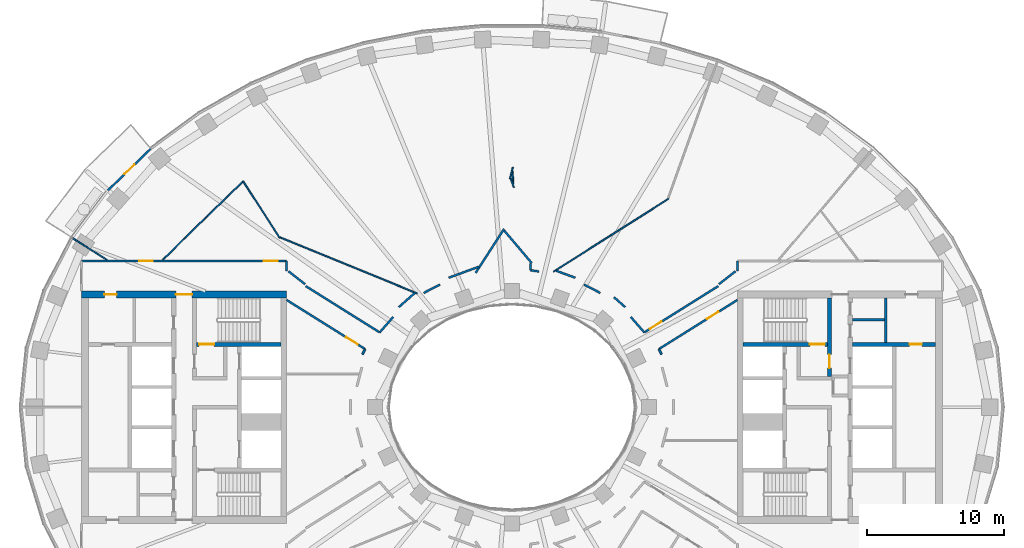
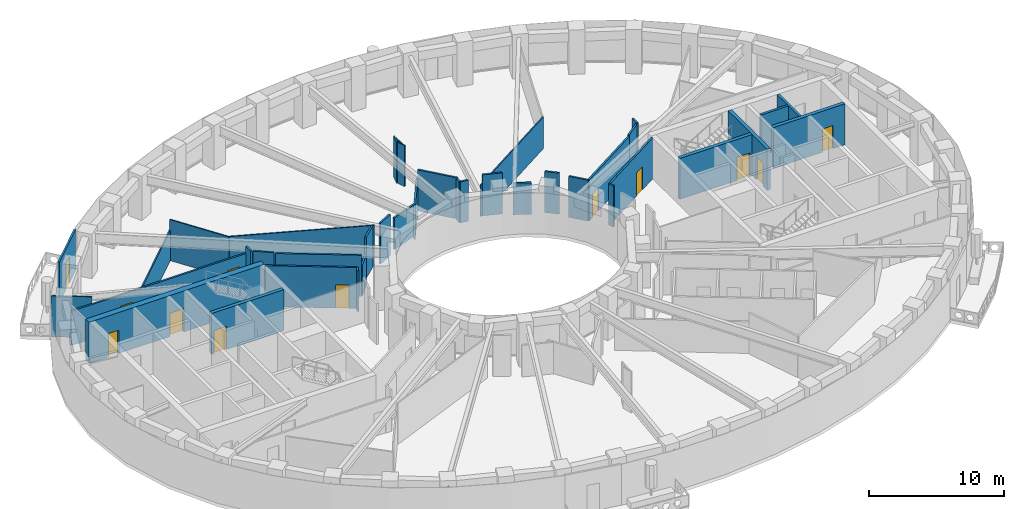
# One storey, part 6 of 16: 39 walls, 12 doors, 12 openings.
"""IFC4 building model written with IfcOpenShell, lengths in metres."""

from ifc_helpers import new_model, si_unit, direction, frame, frame_2d, origin, place, context, subcontext, project, spatial, rectangle, extrude, material, layer, layer_set, type_object, element, fill, save


model = new_model("IFC4")

# Units and contexts
model_context = context("Model", 3, precision=1e-05, world=origin(), true_north=direction((0.0, 1.0)))
body_context = subcontext(model_context, "Body", "Model", "MODEL_VIEW")
ifc_project = project(units=[si_unit("LENGTHUNIT", "METRE"), si_unit("AREAUNIT", "SQUARE_METRE"), si_unit("VOLUMEUNIT", "CUBIC_METRE"), si_unit("PLANEANGLEUNIT", "RADIAN"), si_unit("MASSUNIT", "GRAM", prefix="KILO")], contexts=[model_context])

# Site, building, storey
site_placement = place(None, origin())
site = spatial("IfcSite", under=ifc_project, at=site_placement, CompositionType="ELEMENT")
building_placement = place(site_placement, origin())
building = spatial("IfcBuilding", under=site, at=building_placement, Name="Noorbagh Ring Tower", CompositionType="ELEMENT")
storey_placement = place(building_placement, frame((0.0, 0.0, 166.0)))
storey = spatial("IfcBuildingStorey", under=building, at=storey_placement, Name="L38", CompositionType="ELEMENT", Elevation=166.0)

# Walls
ifc_material_1 = material(Name="Gypsum board on steel studs", Category="steel")
ifc_layer_1 = layer(ifc_material_1, 0.199951171875)
ifc_layer_set_1 = layer_set([ifc_layer_1], Name="Gypsum board on steel studs")
wall_type_1 = type_object("IfcWallType", Name="CORE-PARTITION-200", PredefinedType="PARTITIONING", material=ifc_layer_set_1)
wall_1_placement = place(storey_placement, frame((27.35009765625, 4.75, 0.0), z_axis=(0.0, 0.0, 1.0), x_axis=(0.0, 1.0, 0.0)))
element("IfcWall", 1, at=wall_1_placement, inside=storey, type_object=wall_type_1, Name="Core partition E", PredefinedType="PARTITIONING", context=body_context, shape_type="SweptSolid", body=[
    extrude(rectangle(XDim=3.25, YDim=0.199951171875, at=frame_2d((1.625, 0.0))), origin(), (0.0, 0.0, 1.0), 3.699951171875),
])
wall_2_placement = place(storey_placement, frame((24.89990234375, 6.39990234375, 0.0), z_axis=(0.0, 0.0, 1.0), x_axis=(1.0, 0.0, 0.0)))
element("IfcWall", 2, at=wall_2_placement, inside=storey, type_object=wall_type_1, Name="Core partition E", PredefinedType="PARTITIONING", context=body_context, shape_type="SweptSolid", body=[
    extrude(rectangle(XDim=2.35009765625, YDim=0.199951171875, at=frame_2d((1.175048828125, 0.0))), origin(), (0.0, 0.0, 1.0), 3.699951171875),
])

# Wall, opening, door
ifc_material_2 = material(Name="Concrete C60/75", Category="concrete")
ifc_layer_2 = layer(ifc_material_2, 0.300048828125)
ifc_layer_set_2 = layer_set([ifc_layer_2], Name="Concrete C60/75")
wall_type_2 = type_object("IfcWallType", Name="CORE-WALL-300-C60-75-EI240", PredefinedType="SHEAR", material=ifc_layer_set_2)
wall_3_placement = place(storey_placement, frame((-16.89990234375, 4.60009765625, 0.0), z_axis=(0.0, 0.0, 1.0), x_axis=(-1.0, 0.0, 0.0)))
wall_3 = element("IfcWall", 3, at=wall_3_placement, inside=storey, type_object=wall_type_2, Name="Core wall W", PredefinedType="SHEAR", context=body_context, shape_type="SweptSolid", body=[
    extrude(rectangle(XDim=6.18017578125, YDim=0.300048828125, at=frame_2d((3.090087890625, 0.0))), origin(), (0.0, 0.0, 1.0), 3.699951171875),
])
opening_1_placement = place(wall_3_placement, frame((4.89990234375, 0.0, 0.0)))
opening_1 = element("IfcOpeningElement", 4, at=opening_1_placement, cuts=wall_3, Name="Opening L38-CW06", PredefinedType="OPENING", context=body_context, shape_type="SweptSolid", body=[
    extrude(rectangle(XDim=1.10009765625, YDim=2.10009765625, at=frame_2d((0.550048828125, 1.050048828125))), frame((0.0, 0.16015625, 0.0), z_axis=(0.0, -1.0, 0.0), x_axis=(1.0, 0.0, 0.0)), (0.0, 0.0, 1.0), 0.320068359375),
])
ifc_material_3 = material(Name="Steel door leaf", Category="steel")
door_type_1 = type_object("IfcDoorType", Name="CORE-DOOR-DSTAIR", OperationType="SINGLE_SWING_LEFT", PredefinedType="DOOR", material=ifc_material_3)
door_1_placement = place(opening_1_placement, origin())
door_1 = element("IfcDoor", 5, at=door_1_placement, inside=storey, type_object=door_type_1, Name="Stair door ST1 L38-CW06", OperationType="SINGLE_SWING_RIGHT", OverallHeight=2.10009765625, OverallWidth=1.10009765625, PredefinedType="DOOR", context=body_context, shape_type="SweptSolid", body=[
    extrude(rectangle(XDim=1.10009765625, YDim=2.10009765625, at=frame_2d((0.550048828125, 1.050048828125))), frame((0.0, 0.02490234375, 0.0), z_axis=(0.0, -1.0, 0.0), x_axis=(1.0, 0.0, 0.0)), (0.0, 0.0, 1.0), 0.050048828125),
])
fill(opening_1, door_1)

wall_4_placement = place(storey_placement, frame((24.89990234375, 4.60009765625, 0.0), z_axis=(0.0, 0.0, 1.0), x_axis=(1.0, 0.0, 0.0)))
wall_4 = element("IfcWall", 6, at=wall_4_placement, inside=storey, type_object=wall_type_2, Name="Core wall E", PredefinedType="SHEAR", context=body_context, shape_type="SweptSolid", body=[
    extrude(rectangle(XDim=6.10009765625, YDim=0.300048828125, at=frame_2d((3.050048828125, 0.0))), origin(), (0.0, 0.0, 1.0), 3.699951171875),
])
opening_2_placement = place(wall_4_placement, frame((4.199951171875, 0.0, 0.0)))
opening_2 = element("IfcOpeningElement", 7, at=opening_2_placement, cuts=wall_4, Name="Opening L38-CE19", PredefinedType="OPENING", context=body_context, shape_type="SweptSolid", body=[
    extrude(rectangle(XDim=0.89990234375, YDim=2.10009765625, at=frame_2d((0.449951171875, 1.050048828125))), frame((0.0, 0.16015625, 0.0), z_axis=(0.0, -1.0, 0.0), x_axis=(1.0, 0.0, 0.0)), (0.0, 0.0, 1.0), 0.320068359375),
])
ifc_material_4 = material(Name="Steel door leaf", Category="steel")
door_type_2 = type_object("IfcDoorType", Name="CORE-DOOR-DROOM", OperationType="SINGLE_SWING_LEFT", PredefinedType="DOOR", material=ifc_material_4)
door_2_placement = place(opening_2_placement, origin())
door_2 = element("IfcDoor", 8, at=door_2_placement, inside=storey, type_object=door_type_2, Name="Core room door L38-CE19", OperationType="SINGLE_SWING_RIGHT", OverallHeight=2.10009765625, OverallWidth=0.89990234375, PredefinedType="DOOR", context=body_context, shape_type="SweptSolid", body=[
    extrude(rectangle(XDim=0.89990234375, YDim=2.10009765625, at=frame_2d((0.449951171875, 1.050048828125))), frame((0.0, 0.02490234375, 0.0), z_axis=(0.0, -1.0, 0.0), x_axis=(1.0, 0.0, 0.0)), (0.0, 0.0, 1.0), 0.050048828125),
])
fill(opening_2, door_2)

wall_5_placement = place(storey_placement, frame((23.22998046875, 2.25, 0.0), z_axis=(0.0, 0.0, 1.0), x_axis=(0.0, 1.0, 0.0)))
wall_5 = element("IfcWall", 9, at=wall_5_placement, inside=storey, type_object=wall_type_2, Name="Core wall E", PredefinedType="SHEAR", context=body_context, shape_type="SweptSolid", body=[
    extrude(rectangle(XDim=5.75, YDim=0.300048828125, at=frame_2d((2.875, 0.0))), origin(), (0.0, 0.0, 1.0), 3.699951171875),
])
opening_3_placement = place(wall_5_placement, frame((0.60009765625, 0.0, 0.0)))
opening_3 = element("IfcOpeningElement", 10, at=opening_3_placement, cuts=wall_5, Name="Opening L38-CE10", PredefinedType="OPENING", context=body_context, shape_type="SweptSolid", body=[
    extrude(rectangle(XDim=1.0, YDim=2.10009765625, at=frame_2d((0.5, 1.050048828125))), frame((0.0, 0.16015625, 0.0), z_axis=(0.0, -1.0, 0.0), x_axis=(1.0, 0.0, 0.0)), (0.0, 0.0, 1.0), 0.320068359375),
])
ifc_material_5 = material(Name="Steel door leaf", Category="steel")
door_type_3 = type_object("IfcDoorType", Name="CORE-DOOR-DVEST", OperationType="SINGLE_SWING_LEFT", PredefinedType="DOOR", material=ifc_material_5)
door_3_placement = place(opening_3_placement, origin())
door_3 = element("IfcDoor", 11, at=door_3_placement, inside=storey, type_object=door_type_3, Name="Stair vestibule door L38-CE10", OperationType="SINGLE_SWING_RIGHT", OverallHeight=2.10009765625, OverallWidth=1.0, PredefinedType="DOOR", context=body_context, shape_type="SweptSolid", body=[
    extrude(rectangle(XDim=1.0, YDim=2.10009765625, at=frame_2d((0.5, 1.050048828125))), frame((0.0, 0.02490234375, 0.0), z_axis=(0.0, -1.0, 0.0), x_axis=(1.0, 0.0, 0.0)), (0.0, 0.0, 1.0), 0.050048828125),
])
fill(opening_3, door_3)

wall_6_placement = place(storey_placement, frame((16.89990234375, 4.60009765625, 0.0), z_axis=(0.0, 0.0, 1.0), x_axis=(1.0, 0.0, 0.0)))
wall_6 = element("IfcWall", 12, at=wall_6_placement, inside=storey, type_object=wall_type_2, Name="Core wall E", PredefinedType="SHEAR", context=body_context, shape_type="SweptSolid", body=[
    extrude(rectangle(XDim=6.18017578125, YDim=0.300048828125, at=frame_2d((3.090087890625, 0.0))), origin(), (0.0, 0.0, 1.0), 3.699951171875),
])
opening_4_placement = place(wall_6_placement, frame((4.89990234375, 0.0, 0.0)))
opening_4 = element("IfcOpeningElement", 13, at=opening_4_placement, cuts=wall_6, Name="Opening L38-CE07", PredefinedType="OPENING", context=body_context, shape_type="SweptSolid", body=[
    extrude(rectangle(XDim=1.10009765625, YDim=2.10009765625, at=frame_2d((0.550048828125, 1.050048828125))), frame((0.0, 0.16015625, 0.0), z_axis=(0.0, -1.0, 0.0), x_axis=(1.0, 0.0, 0.0)), (0.0, 0.0, 1.0), 0.320068359375),
])
door_4_placement = place(opening_4_placement, origin())
door_4 = element("IfcDoor", 14, at=door_4_placement, inside=storey, type_object=door_type_1, Name="Stair door ST3 L38-CE07", OperationType="SINGLE_SWING_LEFT", OverallHeight=2.10009765625, OverallWidth=1.10009765625, PredefinedType="DOOR", context=body_context, shape_type="SweptSolid", body=[
    extrude(rectangle(XDim=1.10009765625, YDim=2.10009765625, at=frame_2d((0.550048828125, 1.050048828125))), frame((0.0, 0.02490234375, 0.0), z_axis=(0.0, -1.0, 0.0), x_axis=(1.0, 0.0, 0.0)), (0.0, 0.0, 1.0), 0.050048828125),
])
fill(opening_4, door_4)

# Wall, openings, doors
ifc_material_6 = material(Name="Concrete C60/75", Category="concrete")
ifc_layer_3 = layer(ifc_material_6, 0.5)
ifc_layer_set_3 = layer_set([ifc_layer_3], Name="Concrete C60/75")
wall_type_3 = type_object("IfcWallType", Name="CORE-WALL-500-C60-75-EI240", PredefinedType="SHEAR", material=ifc_layer_set_3)
wall_7_placement = place(storey_placement, frame((-16.5, 8.25, 0.0), z_axis=(0.0, 0.0, 1.0), x_axis=(-1.0, 0.0, 0.0)))
wall_7 = element("IfcWall", 15, at=wall_7_placement, inside=storey, type_object=wall_type_3, Name="Core wall W", PredefinedType="SHEAR", context=body_context, shape_type="SweptSolid", body=[
    extrude(rectangle(XDim=15.0, YDim=0.5, at=frame_2d((7.5, 0.0))), origin(), (0.0, 0.0, 1.0), 3.699951171875),
])
opening_5_placement = place(wall_7_placement, frame((6.89990234375, 0.0, 0.0)))
opening_5 = element("IfcOpeningElement", 16, at=opening_5_placement, cuts=wall_7, Name="Opening L38-CW10", PredefinedType="OPENING", context=body_context, shape_type="SweptSolid", body=[
    extrude(rectangle(XDim=1.199951171875, YDim=2.10009765625, at=frame_2d((0.60009765625, 1.050048828125))), frame((0.0, 0.260009765625, 0.0), z_axis=(0.0, -1.0, 0.0), x_axis=(1.0, 0.0, 0.0)), (0.0, 0.0, 1.0), 0.52001953125),
])
opening_6_placement = place(wall_7_placement, frame((12.425048828125, 0.0, 0.0)))
opening_6 = element("IfcOpeningElement", 17, at=opening_6_placement, cuts=wall_7, Name="Opening L38-CW13", PredefinedType="OPENING", context=body_context, shape_type="SweptSolid", body=[
    extrude(rectangle(XDim=0.89990234375, YDim=2.10009765625, at=frame_2d((0.449951171875, 1.050048828125))), frame((0.0, 0.260009765625, 0.0), z_axis=(0.0, -1.0, 0.0), x_axis=(1.0, 0.0, 0.0)), (0.0, 0.0, 1.0), 0.52001953125),
])
door_5_placement = place(opening_6_placement, origin())
door_5 = element("IfcDoor", 18, at=door_5_placement, inside=storey, type_object=door_type_2, Name="Core room door L38-CW13", OperationType="SINGLE_SWING_RIGHT", OverallHeight=2.10009765625, OverallWidth=0.89990234375, PredefinedType="DOOR", context=body_context, shape_type="SweptSolid", body=[
    extrude(rectangle(XDim=0.89990234375, YDim=2.10009765625, at=frame_2d((0.449951171875, 1.050048828125))), frame((0.0, 0.02490234375, 0.0), z_axis=(0.0, -1.0, 0.0), x_axis=(1.0, 0.0, 0.0)), (0.0, 0.0, 1.0), 0.050048828125),
])
fill(opening_6, door_5)
ifc_material_7 = material(Name="Steel door leaf", Category="steel")
door_type_4 = type_object("IfcDoorType", Name="CORE-DOOR-PORT", OperationType="DOUBLE_DOOR_DOUBLE_SWING", PredefinedType="DOOR", material=ifc_material_7)
door_6_placement = place(opening_5_placement, origin())
door_6 = element("IfcDoor", 19, at=door_6_placement, inside=storey, type_object=door_type_4, Name="Core entrance door L38-CW10", OperationType="DOUBLE_DOOR_DOUBLE_SWING", OverallHeight=2.10009765625, OverallWidth=1.199951171875, PredefinedType="DOOR", context=body_context, shape_type="SweptSolid", body=[
    extrude(rectangle(XDim=1.199951171875, YDim=2.10009765625, at=frame_2d((0.60009765625, 1.050048828125))), frame((0.0, 0.02490234375, 0.0), z_axis=(0.0, -1.0, 0.0), x_axis=(1.0, 0.0, 0.0)), (0.0, 0.0, 1.0), 0.050048828125),
])
fill(opening_5, door_6)

ifc_material_8 = material(Name="Gypsum board on steel studs", Category="steel")
ifc_layer_4 = layer(ifc_material_8, 0.14990234375)
ifc_layer_set_4 = layer_set([ifc_layer_4], Name="Gypsum board on steel studs")
wall_type_4 = type_object("IfcWallType", Name="CORRIDOR PARTITION 150 EI 30", PredefinedType="PARTITIONING", material=ifc_layer_set_4)
wall_8_placement = place(storey_placement, frame((-31.5, 10.699951171875, 0.0), z_axis=(0.0, 0.0, 1.0), x_axis=(1.0, 0.0, 0.0)))
wall_8 = element("IfcWall", 20, at=wall_8_placement, inside=storey, type_object=wall_type_4, Name="L38/wall/P07", PredefinedType="PARTITIONING", context=body_context, shape_type="SweptSolid", body=[
    extrude(rectangle(XDim=15.0, YDim=0.14990234375, at=frame_2d((7.5, 0.0))), origin(), (0.0, 0.0, 1.0), 3.10009765625),
])
opening_7_placement = place(wall_8_placement, frame((4.2099609375, 0.0, 0.0)))
opening_7 = element("IfcOpeningElement", 21, at=opening_7_placement, cuts=wall_8, Name="Opening D1", PredefinedType="OPENING", context=body_context, shape_type="SweptSolid", body=[
    extrude(rectangle(XDim=1.0, YDim=2.10009765625, at=frame_2d((0.5, 1.050048828125))), frame((0.0, 0.0849609375, 0.0), z_axis=(0.0, -1.0, 0.0), x_axis=(1.0, 0.0, 0.0)), (0.0, 0.0, 1.0), 0.169921875),
])
opening_8_placement = place(wall_8_placement, frame((13.35009765625, 0.0, 0.0)))
opening_8 = element("IfcOpeningElement", 22, at=opening_8_placement, cuts=wall_8, Name="Opening D1", PredefinedType="OPENING", context=body_context, shape_type="SweptSolid", body=[
    extrude(rectangle(XDim=1.0, YDim=2.10009765625, at=frame_2d((0.5, 1.050048828125))), frame((0.0, 0.0849609375, 0.0), z_axis=(0.0, -1.0, 0.0), x_axis=(1.0, 0.0, 0.0)), (0.0, 0.0, 1.0), 0.169921875),
])
ifc_material_9 = material(Name="Timber, painted", Category="wood")
door_type_5 = type_object("IfcDoorType", Name="DOOR 1000 X 2100 FD30", OperationType="SINGLE_SWING_LEFT", PredefinedType="DOOR", material=ifc_material_9)
door_7_placement = place(opening_7_placement, origin())
door_7 = element("IfcDoor", 23, at=door_7_placement, inside=storey, type_object=door_type_5, Name="L38-D09", OperationType="SINGLE_SWING_LEFT", OverallHeight=2.10009765625, OverallWidth=1.0, PredefinedType="DOOR", context=body_context, shape_type="SweptSolid", body=[
    extrude(rectangle(XDim=1.0, YDim=2.10009765625, at=frame_2d((0.5, 1.050048828125))), frame((0.0, 0.02490234375, 0.0), z_axis=(0.0, -1.0, 0.0), x_axis=(1.0, 0.0, 0.0)), (0.0, 0.0, 1.0), 0.050048828125),
])
fill(opening_7, door_7)
door_8_placement = place(opening_8_placement, origin())
door_8 = element("IfcDoor", 24, at=door_8_placement, inside=storey, type_object=door_type_5, Name="L38-D11", OperationType="SINGLE_SWING_LEFT", OverallHeight=2.10009765625, OverallWidth=1.0, PredefinedType="DOOR", context=body_context, shape_type="SweptSolid", body=[
    extrude(rectangle(XDim=1.0, YDim=2.10009765625, at=frame_2d((0.5, 1.050048828125))), frame((0.0, 0.02490234375, 0.0), z_axis=(0.0, -1.0, 0.0), x_axis=(1.0, 0.0, 0.0)), (0.0, 0.0, 1.0), 0.050048828125),
])
fill(opening_8, door_8)

# Wall
wall_9_placement = place(storey_placement, frame((-16.5, 9.964111328125, 0.0), z_axis=(0.0, 0.0, 1.0), x_axis=(0.0, 1.0, 0.0)))
element("IfcWall", 25, at=wall_9_placement, inside=storey, type_object=wall_type_4, Name="L38/wall/P16", PredefinedType="PARTITIONING", context=body_context, shape_type="SweptSolid", body=[
    extrude(rectangle(XDim=0.73583984375, YDim=0.14990234375, at=frame_2d((0.367919921875, 0.0))), origin(), (0.0, 0.0, 1.0), 3.699951171875),
])

# Wall, opening, door
wall_10_placement = place(storey_placement, frame((-16.5, 7.85107421875, 0.0), z_axis=(0.0, 0.0, 1.0), x_axis=(0.847690706888, -0.530490777917, 0.0)))
wall_10 = element("IfcWall", 26, at=wall_10_placement, inside=storey, type_object=wall_type_4, Name="L38/wall/P18", PredefinedType="PARTITIONING", context=body_context, shape_type="SweptSolid", body=[
    extrude(rectangle(XDim=6.78076171875, YDim=0.14990234375, at=frame_2d((3.390380859375, 0.0))), origin(), (0.0, 0.0, 1.0), 3.699951171875),
])
opening_9_placement = place(wall_10_placement, frame((5.1513671875, 0.0, 0.0)))
opening_9 = element("IfcOpeningElement", 27, at=opening_9_placement, cuts=wall_10, Name="Opening D1", PredefinedType="OPENING", context=body_context, shape_type="SweptSolid", body=[
    extrude(rectangle(XDim=1.0, YDim=2.10009765625, at=frame_2d((0.5, 1.050048828125))), frame((0.0, 0.0849609375, 0.0), z_axis=(0.0, -1.0, 0.0), x_axis=(1.0, 0.0, 0.0)), (0.0, 0.0, 1.0), 0.169921875),
])
door_9_placement = place(opening_9_placement, origin())
door_9 = element("IfcDoor", 28, at=door_9_placement, inside=storey, type_object=door_type_5, Name="L38-D18", OperationType="SINGLE_SWING_RIGHT", OverallHeight=2.10009765625, OverallWidth=1.0, PredefinedType="DOOR", context=body_context, shape_type="SweptSolid", body=[
    extrude(rectangle(XDim=1.0, YDim=2.10009765625, at=frame_2d((0.5, 1.050048828125))), frame((0.0, 0.02490234375, 0.0), z_axis=(0.0, -1.0, 0.0), x_axis=(1.0, 0.0, 0.0)), (0.0, 0.0, 1.0), 0.050048828125),
])
fill(opening_9, door_9)

# Walls
wall_11_placement = place(storey_placement, frame((-15.089111328125, 8.85595703125, 0.0), z_axis=(0.0, 0.0, 1.0), x_axis=(0.847602682855, -0.530631408811, 0.0)))
element("IfcWall", 29, at=wall_11_placement, inside=storey, type_object=wall_type_4, Name="L38/wall/P20", PredefinedType="PARTITIONING", context=body_context, shape_type="SweptSolid", body=[
    extrude(rectangle(XDim=6.3828125, YDim=0.14990234375, at=frame_2d((3.19140625, 0.0))), origin(), (0.0, 0.0, 1.0), 3.699951171875),
])
wall_12_placement = place(storey_placement, frame((-10.93798828125, 3.863037109375, 0.0), z_axis=(0.0, 0.0, 1.0), x_axis=(0.429758433873, 0.90294390109, 0.0)))
element("IfcWall", 30, at=wall_12_placement, inside=storey, type_object=wall_type_4, Name="L38/wall/P25", PredefinedType="PARTITIONING", context=body_context, shape_type="SweptSolid", body=[
    extrude(rectangle(XDim=0.432861328125, YDim=0.14990234375, at=frame_2d((0.21630859375, 0.0))), origin(), (0.0, 0.0, 1.0), 3.699951171875),
])
wall_13_placement = place(storey_placement, frame((-9.678955078125, 5.468994140625, 0.0), z_axis=(0.0, 0.0, 1.0), x_axis=(0.656454677423, 0.75436546613, 0.0)))
element("IfcWall", 31, at=wall_13_placement, inside=storey, type_object=wall_type_4, Name="L38/wall/P27", PredefinedType="PARTITIONING", context=body_context, shape_type="SweptSolid", body=[
    extrude(rectangle(XDim=1.510986328125, YDim=0.14990234375, at=frame_2d((0.75537109375, 0.0))), origin(), (0.0, 0.0, 1.0), 2.75),
])
wall_14_placement = place(storey_placement, frame((-8.283935546875, 7.322021484375, 0.0), z_axis=(0.0, 0.0, 1.0), x_axis=(0.750666784408, 0.660680996235, 0.0)))
element("IfcWall", 32, at=wall_14_placement, inside=storey, type_object=wall_type_4, Name="L38/wall/P29", PredefinedType="PARTITIONING", context=body_context, shape_type="SweptSolid", body=[
    extrude(rectangle(XDim=1.5546875, YDim=0.14990234375, at=frame_2d((0.77734375, 0.0))), origin(), (0.0, 0.0, 1.0), 3.699951171875),
])
wall_15_placement = place(storey_placement, frame((-6.466064453125, 8.35595703125, 0.0), z_axis=(0.0, 0.0, 1.0), x_axis=(0.889472002788, 0.456989667559, 0.0)))
element("IfcWall", 33, at=wall_15_placement, inside=storey, type_object=wall_type_4, Name="L38/wall/P31", PredefinedType="PARTITIONING", context=body_context, shape_type="SweptSolid", body=[
    extrude(rectangle(XDim=1.354736328125, YDim=0.14990234375, at=frame_2d((0.67724609375, 0.0))), origin(), (0.0, 0.0, 1.0), 3.699951171875),
])
wall_16_placement = place(storey_placement, frame((-4.635986328125, 9.468017578125, 0.0), z_axis=(0.0, 0.0, 1.0), x_axis=(0.939059239116, 0.343755356949, 0.0)))
element("IfcWall", 34, at=wall_16_placement, inside=storey, type_object=wall_type_4, Name="L38/wall/P33", PredefinedType="PARTITIONING", context=body_context, shape_type="SweptSolid", body=[
    extrude(rectangle(XDim=2.3564453125, YDim=0.14990234375, at=frame_2d((1.17822265625, 0.0))), origin(), (0.0, 0.0, 1.0), 2.85009765625),
])
wall_17_placement = place(storey_placement, frame((-2.659912109375, 9.826904296875, 0.0), z_axis=(0.0, 0.0, 1.0), x_axis=(0.54249361556, 0.840059924694, 0.0)))
element("IfcWall", 35, at=wall_17_placement, inside=storey, type_object=wall_type_4, Name="L38/wall/P35", PredefinedType="PARTITIONING", context=body_context, shape_type="SweptSolid", body=[
    extrude(rectangle(XDim=3.835693359375, YDim=0.14990234375, at=frame_2d((1.91796875, 0.0))), origin(), (0.0, 0.0, 1.0), 2.85009765625),
])
wall_18_placement = place(storey_placement, frame((-0.571044921875, 12.923095703125, 0.0), z_axis=(0.0, 0.0, 1.0), x_axis=(0.646508532989, -0.762906754966, 0.0)))
element("IfcWall", 36, at=wall_18_placement, inside=storey, type_object=wall_type_4, Name="L38/wall/P37", PredefinedType="PARTITIONING", context=body_context, shape_type="SweptSolid", body=[
    extrude(rectangle(XDim=3.110595703125, YDim=0.14990234375, at=frame_2d((1.55517578125, 0.0))), origin(), (0.0, 0.0, 1.0), 3.699951171875),
])
wall_19_placement = place(storey_placement, frame((1.340087890625, 10.02197265625, 0.0), z_axis=(0.0, 0.0, 1.0), x_axis=(0.047890193459, 0.998852606429, 0.0)))
element("IfcWall", 37, at=wall_19_placement, inside=storey, type_object=wall_type_4, Name="L38/wall/P46", PredefinedType="PARTITIONING", context=body_context, shape_type="SweptSolid", body=[
    extrude(rectangle(XDim=0.49951171875, YDim=0.14990234375, at=frame_2d((0.249755859375, 0.0))), origin(), (0.0, 0.0, 1.0), 3.699951171875),
])
wall_20_placement = place(storey_placement, frame((1.340087890625, 10.02197265625, 0.0), z_axis=(0.0, 0.0, 1.0), x_axis=(0.988526694698, -0.151046264003, 0.0)))
element("IfcWall", 38, at=wall_20_placement, inside=storey, type_object=wall_type_4, Name="L38/wall/P47", PredefinedType="PARTITIONING", context=body_context, shape_type="SweptSolid", body=[
    extrude(rectangle(XDim=0.63525390625, YDim=0.14990234375, at=frame_2d((0.317626953125, 0.0))), origin(), (0.0, 0.0, 1.0), 3.699951171875),
])
wall_21_placement = place(storey_placement, frame((3.221923828125, 9.986083984375, 0.0), z_axis=(0.0, 0.0, 1.0), x_axis=(0.938967105432, -0.344006940215, 0.0)))
element("IfcWall", 39, at=wall_21_placement, inside=storey, type_object=wall_type_4, Name="L38/wall/P51", PredefinedType="PARTITIONING", context=body_context, shape_type="SweptSolid", body=[
    extrude(rectangle(XDim=1.505859375, YDim=0.14990234375, at=frame_2d((0.7529296875, 0.0))), origin(), (0.0, 0.0, 1.0), 3.699951171875),
])
wall_22_placement = place(storey_placement, frame((5.260986328125, 8.97509765625, 0.0), z_axis=(0.0, 0.0, 1.0), x_axis=(0.889472002788, -0.456989667559, 0.0)))
element("IfcWall", 40, at=wall_22_placement, inside=storey, type_object=wall_type_4, Name="L38/wall/P53", PredefinedType="PARTITIONING", context=body_context, shape_type="SweptSolid", body=[
    extrude(rectangle(XDim=1.354736328125, YDim=0.14990234375, at=frame_2d((0.67724609375, 0.0))), origin(), (0.0, 0.0, 1.0), 2.85009765625),
])
wall_23_placement = place(storey_placement, frame((7.4580078125, 8.049072265625, 0.0), z_axis=(0.0, 0.0, 1.0), x_axis=(0.75060787095, -0.660747927782, 0.0)))
element("IfcWall", 41, at=wall_23_placement, inside=storey, type_object=wall_type_4, Name="L38/wall/P55", PredefinedType="PARTITIONING", context=body_context, shape_type="SweptSolid", body=[
    extrude(rectangle(XDim=1.100341796875, YDim=0.14990234375, at=frame_2d((0.55029296875, 0.0))), origin(), (0.0, 0.0, 1.0), 3.699951171875),
])
wall_24_placement = place(storey_placement, frame((8.68701171875, 6.60888671875, 0.0), z_axis=(0.0, 0.0, 1.0), x_axis=(0.656454677423, -0.75436546613, 0.0)))
element("IfcWall", 42, at=wall_24_placement, inside=storey, type_object=wall_type_4, Name="L38/wall/P59", PredefinedType="PARTITIONING", context=body_context, shape_type="SweptSolid", body=[
    extrude(rectangle(XDim=1.510986328125, YDim=0.14990234375, at=frame_2d((0.75537109375, 0.0))), origin(), (0.0, 0.0, 1.0), 3.699951171875),
])

# Wall, opening, door
wall_25_placement = place(storey_placement, frame((9.678955078125, 5.468994140625, 0.0), z_axis=(0.0, 0.0, 1.0), x_axis=(0.847602682855, 0.530631408811, 0.0)))
wall_25 = element("IfcWall", 43, at=wall_25_placement, inside=storey, type_object=wall_type_4, Name="L38/wall/P62", PredefinedType="PARTITIONING", context=body_context, shape_type="SweptSolid", body=[
    extrude(rectangle(XDim=6.3828125, YDim=0.14990234375, at=frame_2d((3.19140625, 0.0))), origin(), (0.0, 0.0, 1.0), 3.699951171875),
])
opening_10_placement = place(wall_25_placement, frame((0.48291015625, 0.0, 0.0)))
opening_10 = element("IfcOpeningElement", 44, at=opening_10_placement, cuts=wall_25, Name="Opening D1", PredefinedType="OPENING", context=body_context, shape_type="SweptSolid", body=[
    extrude(rectangle(XDim=1.0, YDim=2.10009765625, at=frame_2d((0.5, 1.050048828125))), frame((0.0, 0.0849609375, 0.0), z_axis=(0.0, -1.0, 0.0), x_axis=(1.0, 0.0, 0.0)), (0.0, 0.0, 1.0), 0.169921875),
])
door_10_placement = place(opening_10_placement, origin())
door_10 = element("IfcDoor", 45, at=door_10_placement, inside=storey, type_object=door_type_5, Name="L38-D12", OperationType="SINGLE_SWING_RIGHT", OverallHeight=2.10009765625, OverallWidth=1.0, PredefinedType="DOOR", context=body_context, shape_type="SweptSolid", body=[
    extrude(rectangle(XDim=1.0, YDim=2.10009765625, at=frame_2d((0.5, 1.050048828125))), frame((0.0, 0.02490234375, 0.0), z_axis=(0.0, -1.0, 0.0), x_axis=(1.0, 0.0, 0.0)), (0.0, 0.0, 1.0), 0.050048828125),
])
fill(opening_10, door_10)

# Wall
wall_26_placement = place(storey_placement, frame((10.751953125, 4.25390625, 0.0), z_axis=(0.0, 0.0, 1.0), x_axis=(0.429758433873, -0.90294390109, 0.0)))
element("IfcWall", 46, at=wall_26_placement, inside=storey, type_object=wall_type_4, Name="L38/wall/P66", PredefinedType="PARTITIONING", context=body_context, shape_type="SweptSolid", body=[
    extrude(rectangle(XDim=0.432861328125, YDim=0.14990234375, at=frame_2d((0.21630859375, 0.0))), origin(), (0.0, 0.0, 1.0), 3.699951171875),
])

# Wall, opening, door
wall_27_placement = place(storey_placement, frame((10.751953125, 4.25390625, 0.0), z_axis=(0.0, 0.0, 1.0), x_axis=(0.847690706888, 0.530490777917, 0.0)))
wall_27 = element("IfcWall", 47, at=wall_27_placement, inside=storey, type_object=wall_type_4, Name="L38/wall/P67", PredefinedType="PARTITIONING", context=body_context, shape_type="SweptSolid", body=[
    extrude(rectangle(XDim=6.78076171875, YDim=0.14990234375, at=frame_2d((3.390380859375, 0.0))), origin(), (0.0, 0.0, 1.0), 3.699951171875),
])
opening_11_placement = place(wall_27_placement, frame((4.14990234375, 0.0, 0.0)))
opening_11 = element("IfcOpeningElement", 48, at=opening_11_placement, cuts=wall_27, Name="Opening D1", PredefinedType="OPENING", context=body_context, shape_type="SweptSolid", body=[
    extrude(rectangle(XDim=1.0, YDim=2.10009765625, at=frame_2d((0.5, 1.050048828125))), frame((0.0, 0.0849609375, 0.0), z_axis=(0.0, -1.0, 0.0), x_axis=(1.0, 0.0, 0.0)), (0.0, 0.0, 1.0), 0.169921875),
])
door_11_placement = place(opening_11_placement, origin())
door_11 = element("IfcDoor", 49, at=door_11_placement, inside=storey, type_object=door_type_5, Name="L38-D20", OperationType="SINGLE_SWING_RIGHT", OverallHeight=2.10009765625, OverallWidth=1.0, PredefinedType="DOOR", context=body_context, shape_type="SweptSolid", body=[
    extrude(rectangle(XDim=1.0, YDim=2.10009765625, at=frame_2d((0.5, 1.050048828125))), frame((0.0, 0.02490234375, 0.0), z_axis=(0.0, -1.0, 0.0), x_axis=(1.0, 0.0, 0.0)), (0.0, 0.0, 1.0), 0.050048828125),
])
fill(opening_11, door_11)

# Walls
wall_28_placement = place(storey_placement, frame((16.5, 9.964111328125, 0.0), z_axis=(0.0, 0.0, 1.0), x_axis=(0.0, 1.0, 0.0)))
element("IfcWall", 50, at=wall_28_placement, inside=storey, type_object=wall_type_4, Name="L38/wall/P81", PredefinedType="PARTITIONING", context=body_context, shape_type="SweptSolid", body=[
    extrude(rectangle(XDim=0.73583984375, YDim=0.14990234375, at=frame_2d((0.367919921875, 0.0))), origin(), (0.0, 0.0, 1.0), 3.699951171875),
])
for number, where, z_axis, x_axis, name in (
    (51, (-16.35205078125, 9.94189453125, 0.0), (0.0, 0.0, 1.0), (0.788950226826, -0.614457109643, 0.0), "L38/wall/P92"),
    (52, (15.138916015625, 8.9970703125, 0.0), (0.0, 0.0, 1.0), (0.788950226826, 0.614457109643, 0.0), "L38/wall/P94"),
):
    element("IfcWall", number, at=place(storey_placement, frame(where, z_axis=z_axis, x_axis=x_axis)), inside=storey, type_object=wall_type_4, Name=name, PredefinedType="PARTITIONING", context=body_context, shape_type="SweptSolid", body=[
        extrude(rectangle(XDim=1.53759765625, YDim=0.14990234375, at=frame_2d((0.768798828125, 0.0))), origin(), (0.0, 0.0, 1.0), 3.699951171875),
    ])

# Wall, opening, door
ifc_material_10 = material(Name="Insulated aluminium clad panel", Category="aluminium")
ifc_layer_5 = layer(ifc_material_10, 0.14990234375)
ifc_layer_set_5 = layer_set([ifc_layer_5], Name="Insulated aluminium clad panel")
wall_type_5 = type_object("IfcWallType", Name="ENV-WALL-DOOR", PredefinedType="STANDARD", material=ifc_layer_set_5)
wall_29_placement = place(storey_placement, frame((-26.396484375, 18.943359375, 0.0), z_axis=(0.0, 0.0, 1.0), x_axis=(-0.717214761864, -0.696852197647, 0.0)))
wall_29 = element("IfcWall", 53, at=wall_29_placement, inside=storey, type_object=wall_type_5, Name="Balcony door wall chord 19", PredefinedType="STANDARD", context=body_context, shape_type="SweptSolid", body=[
    extrude(rectangle(XDim=4.424072265625, YDim=0.14990234375, at=frame_2d((2.2119140625, 0.0))), origin(), (0.0, 0.0, 1.0), 3.699951171875),
])
opening_12_placement = place(wall_29_placement, frame((1.712158203125, 0.0, 0.0)))
opening_12 = element("IfcOpeningElement", 54, at=opening_12_placement, cuts=wall_29, Name="Opening D-BL", PredefinedType="OPENING", context=body_context, shape_type="SweptSolid", body=[
    extrude(rectangle(XDim=1.0, YDim=2.39990234375, at=frame_2d((0.5, 1.199951171875))), frame((0.0, 0.0849609375, 0.0), z_axis=(0.0, -1.0, 0.0), x_axis=(1.0, 0.0, 0.0)), (0.0, 0.0, 1.0), 0.169921875),
])
ifc_material_11 = material(Name="Aluminium and glass", Category="aluminium")
door_type_6 = type_object("IfcDoorType", Name="ENV-DOOR-BALCONY", OperationType="SINGLE_SWING_LEFT", PredefinedType="DOOR", material=ifc_material_11)
door_12_placement = place(opening_12_placement, origin())
door_12 = element("IfcDoor", 55, at=door_12_placement, inside=storey, type_object=door_type_6, Name="Balcony door chord 19", OperationType="SINGLE_SWING_LEFT", OverallHeight=2.39990234375, OverallWidth=1.0, PredefinedType="DOOR", context=body_context, shape_type="SweptSolid", body=[
    extrude(rectangle(XDim=1.0, YDim=2.39990234375, at=frame_2d((0.5, 1.199951171875))), frame((0.0, 0.02490234375, 0.0), z_axis=(0.0, -1.0, 0.0), x_axis=(1.0, 0.0, 0.0)), (0.0, 0.0, 1.0), 0.050048828125),
])
fill(opening_12, door_12)

# Walls
ifc_material_12 = material(Name="Gypsum board on steel studs", Category="steel")
ifc_layer_6 = layer(ifc_material_12, 0.10009765625)
ifc_layer_set_6 = layer_set([ifc_layer_6], Name="Gypsum board on steel studs")
wall_type_6 = type_object("IfcWallType", Name="PARTITION 100 GYPSUM", PredefinedType="PARTITIONING", material=ifc_layer_set_6)
wall_30_placement = place(storey_placement, frame((-32.2119140625, 12.407958984375, 0.0), z_axis=(0.0, 0.0, 1.0), x_axis=(0.844810627195, -0.535065420467, 0.0)))
element("IfcWall", 56, at=wall_30_placement, inside=storey, type_object=wall_type_6, Name="L38/wall/P03", PredefinedType="PARTITIONING", context=body_context, shape_type="SweptSolid", body=[
    extrude(rectangle(XDim=3.0478515625, YDim=0.10009765625, at=frame_2d((1.52392578125, 0.0))), origin(), (0.0, 0.0, 1.0), 3.699951171875),
])
wall_31_placement = place(storey_placement, frame((-25.56591796875, 10.778076171875, 0.0), z_axis=(0.0, 0.0, 1.0), x_axis=(0.715430617602, 0.698683784982, 0.0)))
element("IfcWall", 57, at=wall_31_placement, inside=storey, type_object=wall_type_6, Name="L38/wall/P09", PredefinedType="PARTITIONING", context=body_context, shape_type="SweptSolid", body=[
    extrude(rectangle(XDim=8.23681640625, YDim=0.10009765625, at=frame_2d((4.118408203125, 0.0))), origin(), (0.0, 0.0, 1.0), 2.75),
])
wall_32_placement = place(storey_placement, frame((-19.673095703125, 16.532958984375, 0.0), z_axis=(0.0, 0.0, 1.0), x_axis=(0.542297022656, -0.840186847801, 0.0)))
element("IfcWall", 58, at=wall_32_placement, inside=storey, type_object=wall_type_6, Name="L38/wall/P11", PredefinedType="PARTITIONING", context=body_context, shape_type="SweptSolid", body=[
    extrude(rectangle(XDim=4.9345703125, YDim=0.10009765625, at=frame_2d((2.46728515625, 0.0))), origin(), (0.0, 0.0, 1.0), 3.699951171875),
])
wall_33_placement = place(storey_placement, frame((-16.962890625, 12.427001953125, 0.0), z_axis=(0.0, 0.0, 1.0), x_axis=(0.925484473487, -0.378785545308, 0.0)))
element("IfcWall", 59, at=wall_33_placement, inside=storey, type_object=wall_type_6, Name="L38/wall/P13", PredefinedType="PARTITIONING", context=body_context, shape_type="SweptSolid", body=[
    extrude(rectangle(XDim=10.83203125, YDim=0.10009765625, at=frame_2d((5.416015625, 0.0))), origin(), (0.0, 0.0, 1.0), 3.699951171875),
])
wall_34_placement = place(storey_placement, frame((-0.14306640625, 16.715087890625, 0.0), z_axis=(0.0, 0.0, 1.0), x_axis=(0.239035325833, 0.971010871723, 0.0)))
element("IfcWall", 60, at=wall_34_placement, inside=storey, type_object=wall_type_6, Name="L38/wall/P40", PredefinedType="PARTITIONING", context=body_context, shape_type="SweptSolid", body=[
    extrude(rectangle(XDim=0.8701171875, YDim=0.10009765625, at=frame_2d((0.43505859375, 0.0))), origin(), (0.0, 0.0, 1.0), 3.699951171875),
])
wall_35_placement = place(storey_placement, frame((-0.090087890625, 16.718017578125, 0.0), z_axis=(0.0, 0.0, 1.0), x_axis=(0.337140043393, -0.94145450827, 0.0)))
element("IfcWall", 61, at=wall_35_placement, inside=storey, type_object=wall_type_6, Name="L38/wall/P41", PredefinedType="PARTITIONING", context=body_context, shape_type="SweptSolid", body=[
    extrude(rectangle(XDim=0.67333984375, YDim=0.10009765625, at=frame_2d((0.336669921875, 0.0))), origin(), (0.0, 0.0, 1.0), 3.699951171875),
])
wall_36_placement = place(storey_placement, frame((0.0400390625, 17.278076171875, 0.0), z_axis=(0.0, 0.0, 1.0), x_axis=(0.047868385867, -0.99885365176, 0.0)))
element("IfcWall", 62, at=wall_36_placement, inside=storey, type_object=wall_type_6, Name="L38/wall/P43", PredefinedType="PARTITIONING", context=body_context, shape_type="SweptSolid", body=[
    extrude(rectangle(XDim=0.91796875, YDim=0.10009765625, at=frame_2d((0.458984375, 0.0))), origin(), (0.0, 0.0, 1.0), 3.699951171875),
])
wall_37_placement = place(storey_placement, frame((3.035888671875, 9.9150390625, 0.0), z_axis=(0.0, 0.0, 1.0), x_axis=(0.844792135558, 0.535094615652, 0.0)))
element("IfcWall", 63, at=wall_37_placement, inside=storey, type_object=wall_type_6, Name="L38/wall/P49", PredefinedType="PARTITIONING", context=body_context, shape_type="SweptSolid", body=[
    extrude(rectangle(XDim=9.96826171875, YDim=0.10009765625, at=frame_2d((4.984130859375, 0.0))), origin(), (0.0, 0.0, 1.0), 2.85009765625),
])

save(model, "model.ifc")
